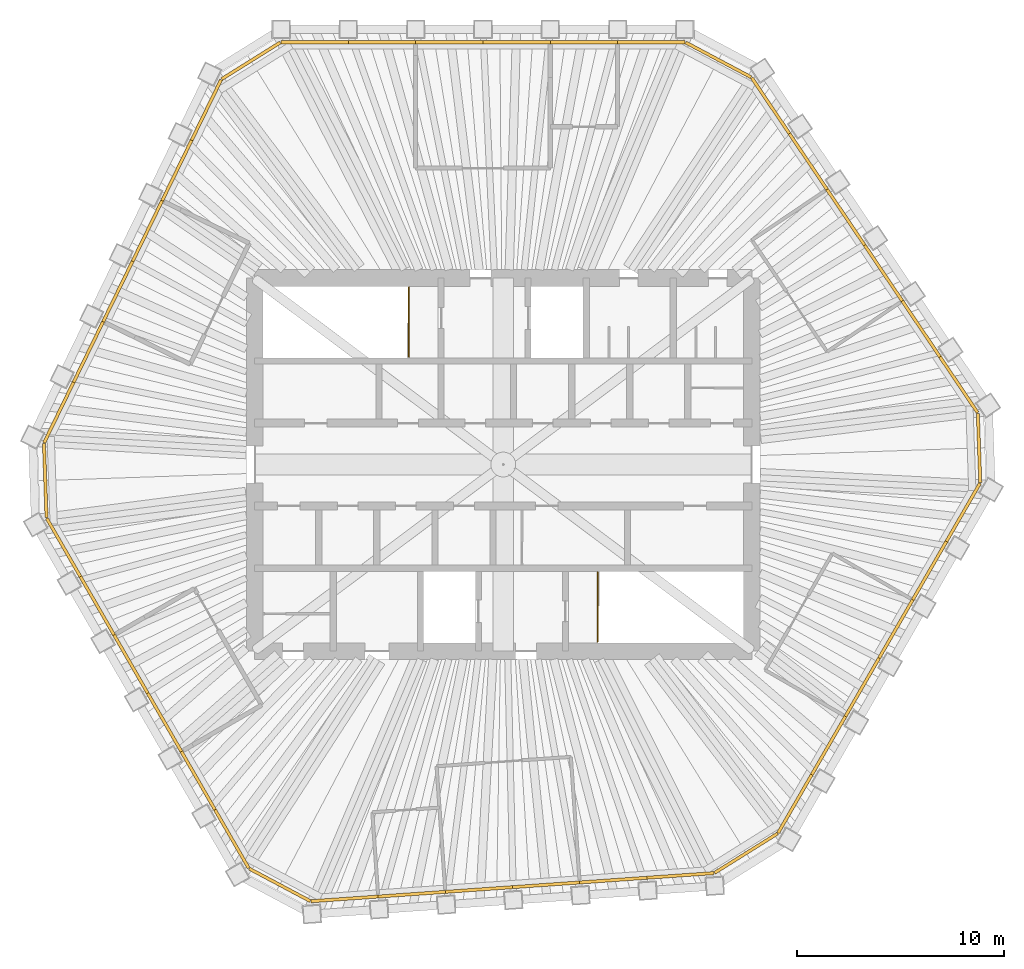
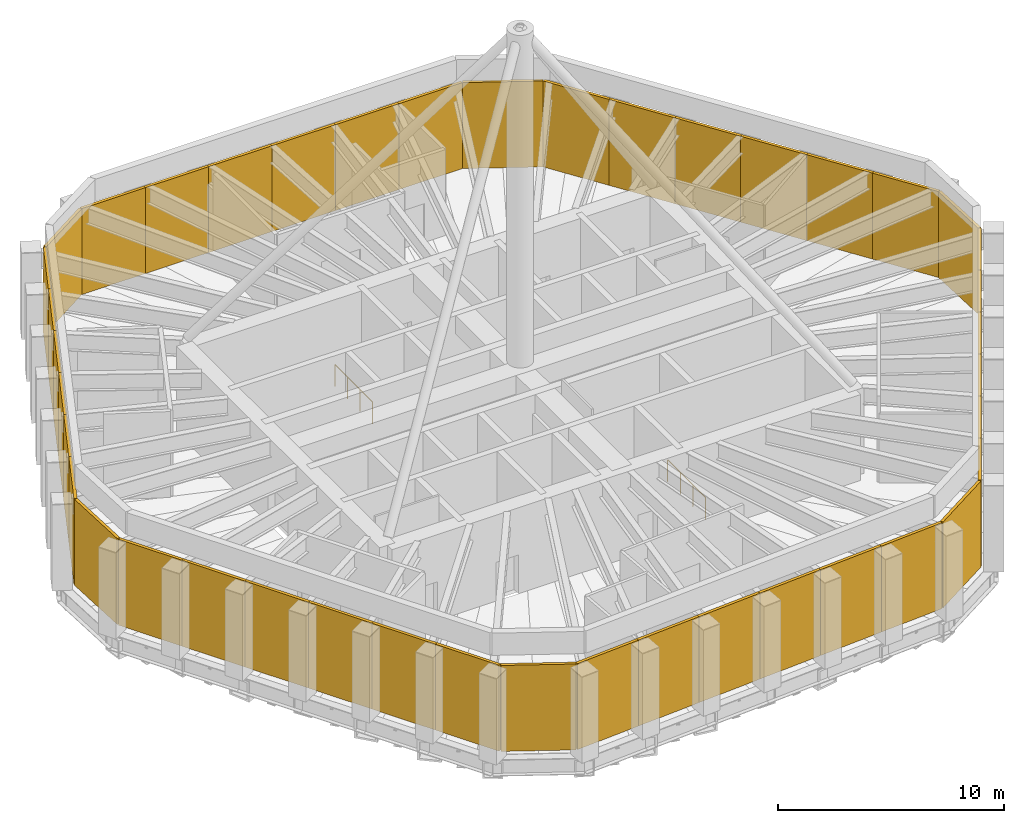
# One storey, part 8 of 9: 42 shading devices, 2 railings.
"""IFC4 building model written with IfcOpenShell, lengths in metres."""

from ifc_helpers import new_model, si_unit, direction, frame, origin, origin_2d, place, context, subcontext, project, spatial, polyline, circle, outline, extrude, material, layer, layer_set, type_object, element, save


model = new_model("IFC4")

# Units and contexts
model_context = context("Model", 3, precision=1e-05, world=origin(), true_north=direction((0.0, 1.0)))
body_context = subcontext(model_context, "Body", "Model", "MODEL_VIEW")
ifc_project = project(units=[si_unit("LENGTHUNIT", "METRE"), si_unit("AREAUNIT", "SQUARE_METRE"), si_unit("VOLUMEUNIT", "CUBIC_METRE"), si_unit("PLANEANGLEUNIT", "RADIAN"), si_unit("MASSUNIT", "GRAM", prefix="KILO")], contexts=[model_context])

# Site, building, storey
site_placement = place(None, origin())
site = spatial("IfcSite", under=ifc_project, at=site_placement, CompositionType="ELEMENT")
building_placement = place(site_placement, origin())
building = spatial("IfcBuilding", under=site, at=building_placement, Name="Qingtian Harvest Tower", CompositionType="ELEMENT")
storey_placement = place(building_placement, frame((0.0, 0.0, 343.60009765625)))
storey = spatial("IfcBuildingStorey", under=building, at=storey_placement, Name="L76", CompositionType="ELEMENT", Elevation=343.60009765625)

# Shading devices
ifc_material_1 = material(Name="Bronze-finished aluminium lattice", Category="aluminium")
ifc_layer = layer(ifc_material_1, 0.14990234375)
ifc_layer_set = layer_set([ifc_layer], Name="Bronze crown screen LS2 150")
shading_device_type = type_object("IfcShadingDeviceType", Name="Bronze crown screen LS2 150", PredefinedType="USERDEFINED", material=ifc_layer_set)
shading_device_1_placement = place(storey_placement, frame((-10.72216796875, 20.300048828125, 0.0), z_axis=(0.0, -1.0, 0.0), x_axis=(1.0, 0.0, 0.0)))
element("IfcShadingDevice", 1, at=shading_device_1_placement, inside=storey, type_object=shading_device_type, Name="Lattice screen LS2 L76 N0", ObjectType="SCREEN", PredefinedType="USERDEFINED", context=body_context, shape_type="SweptSolid", body=[
    extrude(outline(polyline([(0.0, 0.0), (3.248046875, 0.0), (3.248046875, 4.64990234375), (0.0, 4.64990234375), (0.0, 0.0)])), origin(), (0.0, 0.0, -1.0), 0.14990234375),
])
shading_device_2_placement = place(storey_placement, frame((-7.47412109375, 20.300048828125, 0.0), z_axis=(0.0, -1.0, 0.0), x_axis=(1.0, 0.0, 0.0)))
element("IfcShadingDevice", 2, at=shading_device_2_placement, inside=storey, type_object=shading_device_type, Name="Lattice screen LS2 L76 N1", ObjectType="SCREEN", PredefinedType="USERDEFINED", context=body_context, shape_type="SweptSolid", body=[
    extrude(outline(polyline([(0.0, 0.0), (3.247802734375, 0.0), (3.247802734375, 4.64990234375), (0.0, 4.64990234375), (0.0, 0.0)])), origin(), (0.0, 0.0, -1.0), 0.14990234375),
])
for number, where, z_axis, x_axis, name in (
    (3, (-4.226318359375, 20.300048828125, 0.0), (0.0, -1.0, 0.0), (1.0, 0.0, 0.0), "Lattice screen LS2 L76 N2"),
    (4, (-0.978271484375, 20.300048828125, 0.0), (0.0, -1.0, 0.0), (1.0, 0.0, 0.0), "Lattice screen LS2 L76 N3"),
    (5, (2.269775390625, 20.300048828125, 0.0), (0.0, -1.0, 0.0), (1.0, 0.0, 0.0), "Lattice screen LS2 L76 N4"),
    (6, (5.517822265625, 20.300048828125, 0.0), (0.0, -1.0, 0.0), (1.0, 0.0, 0.0), "Lattice screen LS2 L76 N5"),
):
    element("IfcShadingDevice", number, at=place(storey_placement, frame(where, z_axis=z_axis, x_axis=x_axis)), inside=storey, type_object=shading_device_type, Name=name, ObjectType="SCREEN", PredefinedType="USERDEFINED", context=body_context, shape_type="SweptSolid", body=[
        extrude(outline(polyline([(0.0, 0.0), (3.248046875, 0.0), (3.248046875, 4.64990234375), (0.0, 4.64990234375), (0.0, 0.0)])), origin(), (0.0, 0.0, -1.0), 0.14990234375),
    ])
shading_device_3_placement = place(storey_placement, frame((8.765869140625, 20.300048828125, 0.0), z_axis=(-0.469462588402, -0.882952364565, 0.0), x_axis=(0.882952364565, -0.469462588402, 0.0)))
element("IfcShadingDevice", 7, at=shading_device_3_placement, inside=storey, type_object=shading_device_type, Name="Lattice screen LS2 L76 NC", ObjectType="SCREEN", PredefinedType="USERDEFINED", context=body_context, shape_type="SweptSolid", body=[
    extrude(outline(polyline([(0.0, 0.0), (3.581014515922184, 0.0), (3.581014515922184, 4.64990234375), (0.0, 4.64990234375), (0.0, 0.0)])), origin(), (0.0, 0.0, -1.0), 0.14990234375),
])
shading_device_4_placement = place(storey_placement, frame((11.927734375, 18.618896484375, 0.0), z_axis=(-0.829066456504, -0.55915007887, 0.0), x_axis=(0.55915007887, -0.829066456504, 0.0)))
element("IfcShadingDevice", 8, at=shading_device_4_placement, inside=storey, type_object=shading_device_type, Name="Lattice screen LS2 L76 NE0", ObjectType="SCREEN", PredefinedType="USERDEFINED", context=body_context, shape_type="SweptSolid", body=[
    extrude(outline(polyline([(0.0, 0.0), (3.2480762822144085, 0.0), (3.2480762822144085, 4.64990234375), (0.0, 4.64990234375), (0.0, 0.0)])), origin(), (0.0, 0.0, -1.0), 0.14990234375),
])
shading_device_5_placement = place(storey_placement, frame((13.743896484375, 15.926025390625, 0.0), z_axis=(-0.829042954158, -0.559184924833, 0.0), x_axis=(0.559184924833, -0.829042954158, 0.0)))
element("IfcShadingDevice", 9, at=shading_device_5_placement, inside=storey, type_object=shading_device_type, Name="Lattice screen LS2 L76 NE1", ObjectType="SCREEN", PredefinedType="USERDEFINED", context=body_context, shape_type="SweptSolid", body=[
    extrude(outline(polyline([(0.0, 0.0), (3.2478738762804, 0.0), (3.2478738762804, 4.64990234375), (0.0, 4.64990234375), (0.0, 0.0)])), origin(), (0.0, 0.0, -1.0), 0.14990234375),
])
shading_device_6_placement = place(storey_placement, frame((15.56005859375, 13.2333984375, 0.0), z_axis=(-0.829008106372, -0.5592365864, 0.0), x_axis=(0.5592365864, -0.829008106372, 0.0)))
element("IfcShadingDevice", 10, at=shading_device_6_placement, inside=storey, type_object=shading_device_type, Name="Lattice screen LS2 L76 NE2", ObjectType="SCREEN", PredefinedType="USERDEFINED", context=body_context, shape_type="SweptSolid", body=[
    extrude(outline(polyline([(0.0, 0.0), (3.2480104023439154, 0.0), (3.2480104023439154, 4.64990234375), (0.0, 4.64990234375), (0.0, 0.0)])), origin(), (0.0, 0.0, -1.0), 0.14990234375),
])
shading_device_7_placement = place(storey_placement, frame((17.37646484375, 10.540771484375, 0.0), z_axis=(-0.829066456504, -0.55915007887, 0.0), x_axis=(0.55915007887, -0.829066456504, 0.0)))
element("IfcShadingDevice", 11, at=shading_device_7_placement, inside=storey, type_object=shading_device_type, Name="Lattice screen LS2 L76 NE3", ObjectType="SCREEN", PredefinedType="USERDEFINED", context=body_context, shape_type="SweptSolid", body=[
    extrude(outline(polyline([(0.0, 0.0), (3.2480762822144085, 0.0), (3.2480762822144085, 4.64990234375), (0.0, 4.64990234375), (0.0, 0.0)])), origin(), (0.0, 0.0, -1.0), 0.14990234375),
])
shading_device_8_placement = place(storey_placement, frame((19.192626953125, 7.847900390625, 0.0), z_axis=(-0.829008106372, -0.5592365864, 0.0), x_axis=(0.5592365864, -0.829008106372, 0.0)))
element("IfcShadingDevice", 12, at=shading_device_8_placement, inside=storey, type_object=shading_device_type, Name="Lattice screen LS2 L76 NE4", ObjectType="SCREEN", PredefinedType="USERDEFINED", context=body_context, shape_type="SweptSolid", body=[
    extrude(outline(polyline([(0.0, 0.0), (3.2480104023439154, 0.0), (3.2480104023439154, 4.64990234375), (0.0, 4.64990234375), (0.0, 0.0)])), origin(), (0.0, 0.0, -1.0), 0.14990234375),
])
shading_device_9_placement = place(storey_placement, frame((21.009033203125, 5.1552734375, 0.0), z_axis=(-0.829066456504, -0.55915007887, 0.0), x_axis=(0.55915007887, -0.829066456504, 0.0)))
element("IfcShadingDevice", 13, at=shading_device_9_placement, inside=storey, type_object=shading_device_type, Name="Lattice screen LS2 L76 NE5", ObjectType="SCREEN", PredefinedType="USERDEFINED", context=body_context, shape_type="SweptSolid", body=[
    extrude(outline(polyline([(0.0, 0.0), (3.2480762822144085, 0.0), (3.2480762822144085, 4.64990234375), (0.0, 4.64990234375), (0.0, 0.0)])), origin(), (0.0, 0.0, -1.0), 0.14990234375),
])
shading_device_10_placement = place(storey_placement, frame((22.8251953125, 2.46240234375, 0.0), z_axis=(-0.999390393097, -0.034911920381, 0.0), x_axis=(0.034911920381, -0.999390393097, 0.0)))
element("IfcShadingDevice", 14, at=shading_device_10_placement, inside=storey, type_object=shading_device_type, Name="Lattice screen LS2 L76 NEC", ObjectType="SCREEN", PredefinedType="USERDEFINED", context=body_context, shape_type="SweptSolid", body=[
    extrude(outline(polyline([(0.0, 0.0), (3.328689348253439, 0.0), (3.328689348253439, 4.64990234375), (0.0, 4.64990234375), (0.0, 0.0)])), origin(), (0.0, 0.0, -1.0), 0.14990234375),
])
shading_device_11_placement = place(storey_placement, frame((22.94140625, -0.8642578125, 0.0), z_axis=(-0.866032882975, 0.499987045439, 0.0), x_axis=(-0.499987045439, -0.866032882975, 0.0)))
element("IfcShadingDevice", 15, at=shading_device_11_placement, inside=storey, type_object=shading_device_type, Name="Lattice screen LS2 L76 SE0", ObjectType="SCREEN", PredefinedType="USERDEFINED", context=body_context, shape_type="SweptSolid", body=[
    extrude(outline(polyline([(0.0, 0.0), (3.2481310312238247, 0.0), (3.2481310312238247, 4.64990234375), (0.0, 4.64990234375), (0.0, 0.0)])), origin(), (0.0, 0.0, -1.0), 0.14990234375),
])
shading_device_12_placement = place(storey_placement, frame((21.3173828125, -3.67724609375, 0.0), z_axis=(-0.866014091259, 0.500019593356, 0.0), x_axis=(-0.500019593356, -0.866014091259, 0.0)))
element("IfcShadingDevice", 16, at=shading_device_12_placement, inside=storey, type_object=shading_device_type, Name="Lattice screen LS2 L76 SE1", ObjectType="SCREEN", PredefinedType="USERDEFINED", context=body_context, shape_type="SweptSolid", body=[
    extrude(outline(polyline([(0.0, 0.0), (3.2479195997083408, 0.0), (3.2479195997083408, 4.64990234375), (0.0, 4.64990234375), (0.0, 0.0)])), origin(), (0.0, 0.0, -1.0), 0.14990234375),
])
shading_device_13_placement = place(storey_placement, frame((19.693359375, -6.489990234375, 0.0), z_axis=(-0.866032882975, 0.499987045439, 0.0), x_axis=(-0.499987045439, -0.866032882975, 0.0)))
element("IfcShadingDevice", 17, at=shading_device_13_placement, inside=storey, type_object=shading_device_type, Name="Lattice screen LS2 L76 SE2", ObjectType="SCREEN", PredefinedType="USERDEFINED", context=body_context, shape_type="SweptSolid", body=[
    extrude(outline(polyline([(0.0, 0.0), (3.2481310312238247, 0.0), (3.2481310312238247, 4.64990234375), (0.0, 4.64990234375), (0.0, 0.0)])), origin(), (0.0, 0.0, -1.0), 0.14990234375),
])
shading_device_14_placement = place(storey_placement, frame((18.0693359375, -9.302978515625, 0.0), z_axis=(-0.866014091259, 0.500019593356, 0.0), x_axis=(-0.500019593356, -0.866014091259, 0.0)))
element("IfcShadingDevice", 18, at=shading_device_14_placement, inside=storey, type_object=shading_device_type, Name="Lattice screen LS2 L76 SE3", ObjectType="SCREEN", PredefinedType="USERDEFINED", context=body_context, shape_type="SweptSolid", body=[
    extrude(outline(polyline([(0.0, 0.0), (3.2479195997083408, 0.0), (3.2479195997083408, 4.64990234375), (0.0, 4.64990234375), (0.0, 0.0)])), origin(), (0.0, 0.0, -1.0), 0.14990234375),
])
shading_device_15_placement = place(storey_placement, frame((16.4453125, -12.11572265625, 0.0), z_axis=(-0.866032882975, 0.499987045439, 0.0), x_axis=(-0.499987045439, -0.866032882975, 0.0)))
element("IfcShadingDevice", 19, at=shading_device_15_placement, inside=storey, type_object=shading_device_type, Name="Lattice screen LS2 L76 SE4", ObjectType="SCREEN", PredefinedType="USERDEFINED", context=body_context, shape_type="SweptSolid", body=[
    extrude(outline(polyline([(0.0, 0.0), (3.2481310312238247, 0.0), (3.2481310312238247, 4.64990234375), (0.0, 4.64990234375), (0.0, 0.0)])), origin(), (0.0, 0.0, -1.0), 0.14990234375),
])
shading_device_16_placement = place(storey_placement, frame((14.8212890625, -14.9287109375, 0.0), z_axis=(-0.866014091259, 0.500019593356, 0.0), x_axis=(-0.500019593356, -0.866014091259, 0.0)))
element("IfcShadingDevice", 20, at=shading_device_16_placement, inside=storey, type_object=shading_device_type, Name="Lattice screen LS2 L76 SE5", ObjectType="SCREEN", PredefinedType="USERDEFINED", context=body_context, shape_type="SweptSolid", body=[
    extrude(outline(polyline([(0.0, 0.0), (3.2479195997083408, 0.0), (3.2479195997083408, 4.64990234375), (0.0, 4.64990234375), (0.0, 0.0)])), origin(), (0.0, 0.0, -1.0), 0.14990234375),
])
shading_device_17_placement = place(storey_placement, frame((13.197265625, -17.741455078125, 0.0), z_axis=(-0.529962168336, 0.848021285188, 0.0), x_axis=(-0.848021285188, -0.529962168336, 0.0)))
element("IfcShadingDevice", 21, at=shading_device_17_placement, inside=storey, type_object=shading_device_type, Name="Lattice screen LS2 L76 SEC", ObjectType="SCREEN", PredefinedType="USERDEFINED", context=body_context, shape_type="SweptSolid", body=[
    extrude(outline(polyline([(0.0, 0.0), (3.580831220617478, 0.0), (3.580831220617478, 4.64990234375), (0.0, 4.64990234375), (0.0, 0.0)])), origin(), (0.0, 0.0, -1.0), 0.14990234375),
])
shading_device_18_placement = place(storey_placement, frame((10.16064453125, -19.63916015625, 0.0), z_axis=(-0.069751339047, 0.9975644093, 0.0), x_axis=(-0.9975644093, -0.069751339047, 0.0)))
element("IfcShadingDevice", 22, at=shading_device_18_placement, inside=storey, type_object=shading_device_type, Name="Lattice screen LS2 L76 S0", ObjectType="SCREEN", PredefinedType="USERDEFINED", context=body_context, shape_type="SweptSolid", body=[
    extrude(outline(polyline([(0.0, 0.0), (3.248145528041792, 0.0), (3.248145528041792, 4.64990234375), (0.0, 4.64990234375), (0.0, 0.0)])), origin(), (0.0, 0.0, -1.0), 0.14990234375),
])
shading_device_19_placement = place(storey_placement, frame((6.92041015625, -19.86572265625, 0.0), z_axis=(-0.069756569394, 0.997564043571, 0.0), x_axis=(-0.997564043571, -0.069756569394, 0.0)))
element("IfcShadingDevice", 23, at=shading_device_19_placement, inside=storey, type_object=shading_device_type, Name="Lattice screen LS2 L76 S1", ObjectType="SCREEN", PredefinedType="USERDEFINED", context=body_context, shape_type="SweptSolid", body=[
    extrude(outline(polyline([(0.0, 0.0), (3.2479019820880706, 0.0), (3.2479019820880706, 4.64990234375), (0.0, 4.64990234375), (0.0, 0.0)])), origin(), (0.0, 0.0, -1.0), 0.14990234375),
])
shading_device_20_placement = place(storey_placement, frame((3.680419921875, -20.09228515625, 0.0), z_axis=(-0.069751339047, 0.9975644093, 0.0), x_axis=(-0.9975644093, -0.069751339047, 0.0)))
element("IfcShadingDevice", 24, at=shading_device_20_placement, inside=storey, type_object=shading_device_type, Name="Lattice screen LS2 L76 S2", ObjectType="SCREEN", PredefinedType="USERDEFINED", context=body_context, shape_type="SweptSolid", body=[
    extrude(outline(polyline([(0.0, 0.0), (3.248145528041792, 0.0), (3.248145528041792, 4.64990234375), (0.0, 4.64990234375), (0.0, 0.0)])), origin(), (0.0, 0.0, -1.0), 0.14990234375),
])
shading_device_21_placement = place(storey_placement, frame((0.440185546875, -20.31884765625, 0.0), z_axis=(-0.069756569394, 0.997564043571, 0.0), x_axis=(-0.997564043571, -0.069756569394, 0.0)))
element("IfcShadingDevice", 25, at=shading_device_21_placement, inside=storey, type_object=shading_device_type, Name="Lattice screen LS2 L76 S3", ObjectType="SCREEN", PredefinedType="USERDEFINED", context=body_context, shape_type="SweptSolid", body=[
    extrude(outline(polyline([(0.0, 0.0), (3.2479019820880706, 0.0), (3.2479019820880706, 4.64990234375), (0.0, 4.64990234375), (0.0, 0.0)])), origin(), (0.0, 0.0, -1.0), 0.14990234375),
])
shading_device_22_placement = place(storey_placement, frame((-2.7998046875, -20.54541015625, 0.0), z_axis=(-0.069751339047, 0.9975644093, 0.0), x_axis=(-0.9975644093, -0.069751339047, 0.0)))
element("IfcShadingDevice", 26, at=shading_device_22_placement, inside=storey, type_object=shading_device_type, Name="Lattice screen LS2 L76 S4", ObjectType="SCREEN", PredefinedType="USERDEFINED", context=body_context, shape_type="SweptSolid", body=[
    extrude(outline(polyline([(0.0, 0.0), (3.248145528041792, 0.0), (3.248145528041792, 4.64990234375), (0.0, 4.64990234375), (0.0, 0.0)])), origin(), (0.0, 0.0, -1.0), 0.14990234375),
])
shading_device_23_placement = place(storey_placement, frame((-6.0400390625, -20.77197265625, 0.0), z_axis=(-0.069756569394, 0.997564043571, 0.0), x_axis=(-0.997564043571, -0.069756569394, 0.0)))
element("IfcShadingDevice", 27, at=shading_device_23_placement, inside=storey, type_object=shading_device_type, Name="Lattice screen LS2 L76 S5", ObjectType="SCREEN", PredefinedType="USERDEFINED", context=body_context, shape_type="SweptSolid", body=[
    extrude(outline(polyline([(0.0, 0.0), (3.2479019820880706, 0.0), (3.2479019820880706, 4.64990234375), (0.0, 4.64990234375), (0.0, 0.0)])), origin(), (0.0, 0.0, -1.0), 0.14990234375),
])
shading_device_24_placement = place(storey_placement, frame((-9.280029296875, -20.99853515625, 0.0), z_axis=(0.469457277286, 0.882955188446, 0.0), x_axis=(-0.882955188446, 0.469457277286, 0.0)))
element("IfcShadingDevice", 28, at=shading_device_24_placement, inside=storey, type_object=shading_device_type, Name="Lattice screen LS2 L76 SC", ObjectType="SCREEN", PredefinedType="USERDEFINED", context=body_context, shape_type="SweptSolid", body=[
    extrude(outline(polyline([(0.0, 0.0), (3.3288314320326418, 0.0), (3.3288314320326418, 4.64990234375), (0.0, 4.64990234375), (0.0, 0.0)])), origin(), (0.0, 0.0, -1.0), 0.14990234375),
])
shading_device_25_placement = place(storey_placement, frame((-12.21923828125, -19.435791015625, 0.0), z_axis=(0.866032882975, 0.499987045439, 0.0), x_axis=(-0.499987045439, 0.866032882975, 0.0)))
element("IfcShadingDevice", 29, at=shading_device_25_placement, inside=storey, type_object=shading_device_type, Name="Lattice screen LS2 L76 SW0", ObjectType="SCREEN", PredefinedType="USERDEFINED", context=body_context, shape_type="SweptSolid", body=[
    extrude(outline(polyline([(0.0, 0.0), (3.2481310312238247, 0.0), (3.2481310312238247, 4.64990234375), (0.0, 4.64990234375), (0.0, 0.0)])), origin(), (0.0, 0.0, -1.0), 0.14990234375),
])
shading_device_26_placement = place(storey_placement, frame((-13.84326171875, -16.622802734375, 0.0), z_axis=(0.866014091259, 0.500019593356, 0.0), x_axis=(-0.500019593356, 0.866014091259, 0.0)))
element("IfcShadingDevice", 30, at=shading_device_26_placement, inside=storey, type_object=shading_device_type, Name="Lattice screen LS2 L76 SW1", ObjectType="SCREEN", PredefinedType="USERDEFINED", context=body_context, shape_type="SweptSolid", body=[
    extrude(outline(polyline([(0.0, 0.0), (3.2479195997083408, 0.0), (3.2479195997083408, 4.64990234375), (0.0, 4.64990234375), (0.0, 0.0)])), origin(), (0.0, 0.0, -1.0), 0.14990234375),
])
shading_device_27_placement = place(storey_placement, frame((-15.46728515625, -13.81005859375, 0.0), z_axis=(0.866032882975, 0.499987045439, 0.0), x_axis=(-0.499987045439, 0.866032882975, 0.0)))
element("IfcShadingDevice", 31, at=shading_device_27_placement, inside=storey, type_object=shading_device_type, Name="Lattice screen LS2 L76 SW2", ObjectType="SCREEN", PredefinedType="USERDEFINED", context=body_context, shape_type="SweptSolid", body=[
    extrude(outline(polyline([(0.0, 0.0), (3.2481310312238247, 0.0), (3.2481310312238247, 4.64990234375), (0.0, 4.64990234375), (0.0, 0.0)])), origin(), (0.0, 0.0, -1.0), 0.14990234375),
])
shading_device_28_placement = place(storey_placement, frame((-17.09130859375, -10.9970703125, 0.0), z_axis=(0.866014091259, 0.500019593356, 0.0), x_axis=(-0.500019593356, 0.866014091259, 0.0)))
element("IfcShadingDevice", 32, at=shading_device_28_placement, inside=storey, type_object=shading_device_type, Name="Lattice screen LS2 L76 SW3", ObjectType="SCREEN", PredefinedType="USERDEFINED", context=body_context, shape_type="SweptSolid", body=[
    extrude(outline(polyline([(0.0, 0.0), (3.2479195997083408, 0.0), (3.2479195997083408, 4.64990234375), (0.0, 4.64990234375), (0.0, 0.0)])), origin(), (0.0, 0.0, -1.0), 0.14990234375),
])
shading_device_29_placement = place(storey_placement, frame((-18.71533203125, -8.184326171875, 0.0), z_axis=(0.866032882975, 0.499987045439, 0.0), x_axis=(-0.499987045439, 0.866032882975, 0.0)))
element("IfcShadingDevice", 33, at=shading_device_29_placement, inside=storey, type_object=shading_device_type, Name="Lattice screen LS2 L76 SW4", ObjectType="SCREEN", PredefinedType="USERDEFINED", context=body_context, shape_type="SweptSolid", body=[
    extrude(outline(polyline([(0.0, 0.0), (3.2481310312238247, 0.0), (3.2481310312238247, 4.64990234375), (0.0, 4.64990234375), (0.0, 0.0)])), origin(), (0.0, 0.0, -1.0), 0.14990234375),
])
shading_device_30_placement = place(storey_placement, frame((-20.33935546875, -5.371337890625, 0.0), z_axis=(0.866014091259, 0.500019593356, 0.0), x_axis=(-0.500019593356, 0.866014091259, 0.0)))
element("IfcShadingDevice", 34, at=shading_device_30_placement, inside=storey, type_object=shading_device_type, Name="Lattice screen LS2 L76 SW5", ObjectType="SCREEN", PredefinedType="USERDEFINED", context=body_context, shape_type="SweptSolid", body=[
    extrude(outline(polyline([(0.0, 0.0), (3.2479195997083408, 0.0), (3.2479195997083408, 4.64990234375), (0.0, 4.64990234375), (0.0, 0.0)])), origin(), (0.0, 0.0, -1.0), 0.14990234375),
])
shading_device_31_placement = place(storey_placement, frame((-21.96337890625, -2.55859375, 0.0), z_axis=(0.999392973665, 0.034837970499, 0.0), x_axis=(-0.034837970499, 0.999392973665, 0.0)))
element("IfcShadingDevice", 35, at=shading_device_31_placement, inside=storey, type_object=shading_device_type, Name="Lattice screen LS2 L76 SWC", ObjectType="SCREEN", PredefinedType="USERDEFINED", context=body_context, shape_type="SweptSolid", body=[
    extrude(outline(polyline([(0.0, 0.0), (3.5810312021201613, 0.0), (3.5810312021201613, 4.649902343750001), (0.0, 4.649902343750001), (0.0, 0.0)])), origin(), (0.0, 0.0, -1.0), 0.14990234375),
])
shading_device_32_placement = place(storey_placement, frame((-22.088134765625, 1.020263671875, 0.0), z_axis=(0.898788672611, -0.438382164311, 0.0), x_axis=(0.438382164311, 0.898788672611, 0.0)))
element("IfcShadingDevice", 36, at=shading_device_32_placement, inside=storey, type_object=shading_device_type, Name="Lattice screen LS2 L76 NW0", ObjectType="SCREEN", PredefinedType="USERDEFINED", context=body_context, shape_type="SweptSolid", body=[
    extrude(outline(polyline([(0.0, 0.0), (3.247915268718883, 0.0), (3.247915268718883, 4.64990234375), (0.0, 4.64990234375), (0.0, 0.0)])), origin(), (0.0, 0.0, -1.0), 0.14990234375),
])
shading_device_33_placement = place(storey_placement, frame((-20.664306640625, 3.939453125, 0.0), z_axis=(0.898803116931, -0.438352548749, 0.0), x_axis=(0.438352548749, 0.898803116931, 0.0)))
element("IfcShadingDevice", 37, at=shading_device_33_placement, inside=storey, type_object=shading_device_type, Name="Lattice screen LS2 L76 NW1", ObjectType="SCREEN", PredefinedType="USERDEFINED", context=body_context, shape_type="SweptSolid", body=[
    extrude(outline(polyline([(0.0, 0.0), (3.248134701310439, 0.0), (3.248134701310439, 4.64990234375), (0.0, 4.64990234375), (0.0, 0.0)])), origin(), (0.0, 0.0, -1.0), 0.14990234375),
])
shading_device_34_placement = place(storey_placement, frame((-19.240478515625, 6.85888671875, 0.0), z_axis=(0.898788672611, -0.438382164311, 0.0), x_axis=(0.438382164311, 0.898788672611, 0.0)))
element("IfcShadingDevice", 38, at=shading_device_34_placement, inside=storey, type_object=shading_device_type, Name="Lattice screen LS2 L76 NW2", ObjectType="SCREEN", PredefinedType="USERDEFINED", context=body_context, shape_type="SweptSolid", body=[
    extrude(outline(polyline([(0.0, 0.0), (3.247915268718883, 0.0), (3.247915268718883, 4.64990234375), (0.0, 4.64990234375), (0.0, 0.0)])), origin(), (0.0, 0.0, -1.0), 0.14990234375),
])
shading_device_35_placement = place(storey_placement, frame((-17.816650390625, 9.778076171875, 0.0), z_axis=(0.898803116931, -0.438352548749, 0.0), x_axis=(0.438352548749, 0.898803116931, 0.0)))
element("IfcShadingDevice", 39, at=shading_device_35_placement, inside=storey, type_object=shading_device_type, Name="Lattice screen LS2 L76 NW3", ObjectType="SCREEN", PredefinedType="USERDEFINED", context=body_context, shape_type="SweptSolid", body=[
    extrude(outline(polyline([(0.0, 0.0), (3.248134701310439, 0.0), (3.248134701310439, 4.64990234375), (0.0, 4.64990234375), (0.0, 0.0)])), origin(), (0.0, 0.0, -1.0), 0.14990234375),
])
shading_device_36_placement = place(storey_placement, frame((-16.392822265625, 12.697509765625, 0.0), z_axis=(0.898788672611, -0.438382164311, 0.0), x_axis=(0.438382164311, 0.898788672611, 0.0)))
element("IfcShadingDevice", 40, at=shading_device_36_placement, inside=storey, type_object=shading_device_type, Name="Lattice screen LS2 L76 NW4", ObjectType="SCREEN", PredefinedType="USERDEFINED", context=body_context, shape_type="SweptSolid", body=[
    extrude(outline(polyline([(0.0, 0.0), (3.247915268718883, 0.0), (3.247915268718883, 4.64990234375), (0.0, 4.64990234375), (0.0, 0.0)])), origin(), (0.0, 0.0, -1.0), 0.14990234375),
])
shading_device_37_placement = place(storey_placement, frame((-14.968994140625, 15.61669921875, 0.0), z_axis=(0.898803116931, -0.438352548749, 0.0), x_axis=(0.438352548749, 0.898803116931, 0.0)))
element("IfcShadingDevice", 41, at=shading_device_37_placement, inside=storey, type_object=shading_device_type, Name="Lattice screen LS2 L76 NW5", ObjectType="SCREEN", PredefinedType="USERDEFINED", context=body_context, shape_type="SweptSolid", body=[
    extrude(outline(polyline([(0.0, 0.0), (3.248134701310439, 0.0), (3.248134701310439, 4.64990234375), (0.0, 4.64990234375), (0.0, 0.0)])), origin(), (0.0, 0.0, -1.0), 0.14990234375),
])
shading_device_38_placement = place(storey_placement, frame((-13.545166015625, 18.5361328125, 0.0), z_axis=(0.529900047545, -0.848060103773, 0.0), x_axis=(0.848060103773, 0.529900047545, 0.0)))
element("IfcShadingDevice", 42, at=shading_device_38_placement, inside=storey, type_object=shading_device_type, Name="Lattice screen LS2 L76 NWC", ObjectType="SCREEN", PredefinedType="USERDEFINED", context=body_context, shape_type="SweptSolid", body=[
    extrude(outline(polyline([(0.0, 0.0), (3.3287711971294214, 0.0), (3.3287711971294214, 4.64990234375), (0.0, 4.64990234375), (0.0, 0.0)])), origin(), (0.0, 0.0, -1.0), 0.14990234375),
])

# Railings
ifc_material_2 = material(Name="Bronze-finished steel guard", Category="steel")
railing_type = type_object("IfcRailingType", Name="Guard GR1 1200", PredefinedType="GUARDRAIL", material=ifc_material_2)
for number, where, name in (
    (43, (-4.550048828125, 5.199951171875, 0.0), "Guard GR1 L76"),
    (44, (4.550048828125, -8.550048828125, 0.0), "Guard GR1 L76"),
):
    element("IfcRailing", number, at=place(storey_placement, frame(where)), inside=storey, type_object=railing_type, Name=name, PredefinedType="GUARDRAIL", context=body_context, shape_type="SweptSolid", body=[
        extrude(circle(Radius=0.02392578125, at=origin_2d()), frame((0.0, 0.0, 1.17578125), z_axis=(0.0, 1.0, 0.0), x_axis=(-1.0, 0.0, 0.0)), (0.0, 0.0, 1.0), 3.35009765625),
        extrude(circle(Radius=0.02099609375, at=origin_2d()), origin(), (0.0, 0.0, 1.0), 1.15185546875),
        extrude(circle(Radius=0.02099609375, at=origin_2d()), frame((0.0, 1.11669921875, 0.0)), (0.0, 0.0, 1.0), 1.15185546875),
        extrude(circle(Radius=0.02099609375, at=origin_2d()), frame((0.0, 2.2333984375, 0.0)), (0.0, 0.0, 1.0), 1.15185546875),
        extrude(circle(Radius=0.02099609375, at=origin_2d()), frame((0.0, 3.35009765625, 0.0)), (0.0, 0.0, 1.0), 1.15185546875),
    ])

save(model, "model.ifc")
